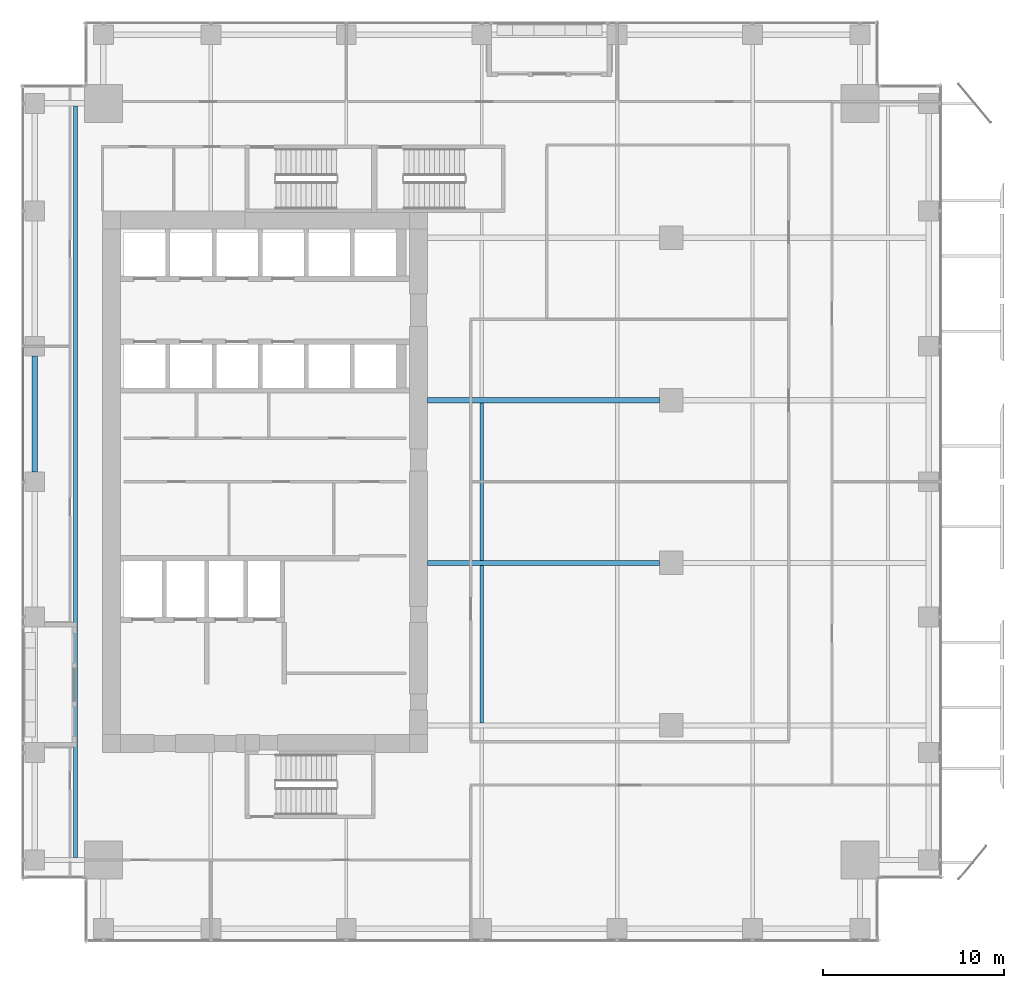
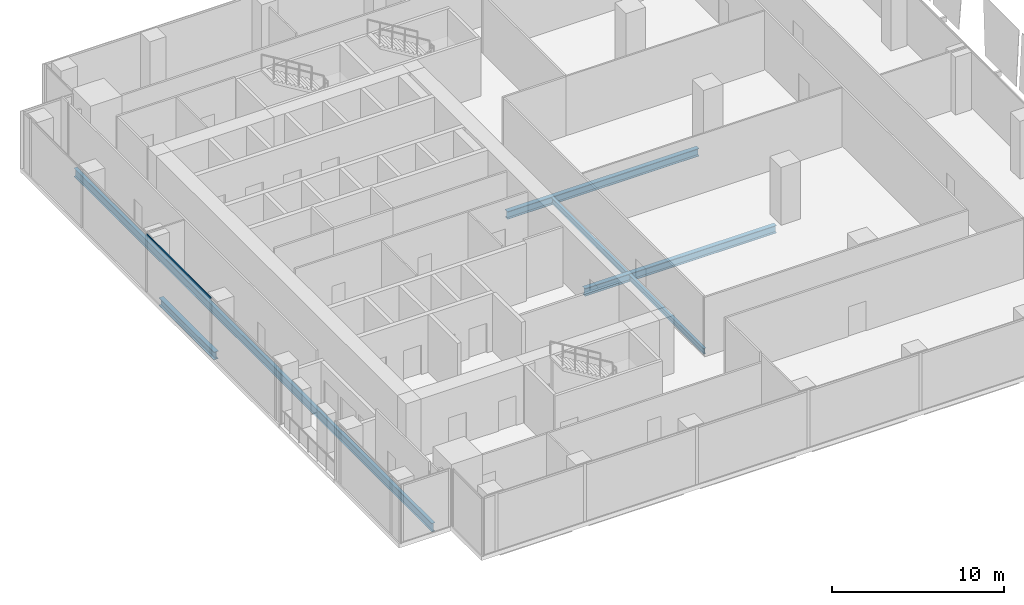
# One storey, part 8 of 33: 6 beams, 1 member, 1 element without a shape of its own.
"""IFC4 building model written with IfcOpenShell, lengths in metres."""

from ifc_helpers import new_model, si_unit, direction, frame, origin, origin_2d, place, context, subcontext, project, spatial, hollow_rectangle, i_section, extrude, source, transform, mapped, material, material_profile, profile_set, type_object, element, aggregate, save


model = new_model("IFC4")

# Units and contexts
model_context = context("Model", 3, precision=1e-05, world=origin(), true_north=direction((0.0, 1.0)))
body_context = subcontext(model_context, "Body", "Model", "MODEL_VIEW")
ifc_project = project(units=[si_unit("LENGTHUNIT", "METRE"), si_unit("AREAUNIT", "SQUARE_METRE"), si_unit("VOLUMEUNIT", "CUBIC_METRE"), si_unit("PLANEANGLEUNIT", "RADIAN"), si_unit("MASSUNIT", "GRAM", prefix="KILO")], contexts=[model_context])

# Site, building, storey
site_placement = place(None, origin())
site = spatial("IfcSite", under=ifc_project, at=site_placement, CompositionType="ELEMENT")
building_placement = place(site_placement, origin())
building = spatial("IfcBuilding", under=site, at=building_placement, Name="Khomas Fold Tower", CompositionType="ELEMENT")
storey_placement = place(building_placement, frame((0.0, 0.0, 149.89990234375)))
storey = spatial("IfcBuildingStorey", under=building, at=storey_placement, Name="L32", CompositionType="ELEMENT", Elevation=149.89990234375)

# Beams
ifc_material_1 = material(Name="Steel S355", Category="steel")
ifc_material_profile_1 = material_profile(ifc_material_1, i_section(OverallWidth=0.179931640625, OverallDepth=0.39990234375, WebThickness=0.008544921875, FlangeThickness=0.013427734375, at=origin_2d()), Name="IPE 400")
ifc_profile_set_1 = profile_set([ifc_material_profile_1], Name="Steel S355")
beam_type_1 = type_object("IfcBeamType", Name="IPE 400 beam JB3", PredefinedType="BEAM", material=ifc_profile_set_1)
shared_shape_1 = source(origin(), body_context, "Body", "SweptSolid", [
    extrude(i_section(OverallWidth=0.179931640625, OverallDepth=0.39990234375, WebThickness=0.008544921875, FlangeThickness=0.013427734375, at=origin_2d()), origin(), (0.0, 0.0, 1.0), 8.7001953125),
])
for number, where, z_axis, x_axis, name in (
    (1, (27.0, 13.64990234375, -0.5), (0.0, 1.0, 0.0), (-1.0, 0.0, 0.0), "JB3"),
    (2, (27.0, 22.64990234375, -0.5), (0.0, 1.0, 0.0), (-1.0, 0.0, 0.0), "JB3"),
):
    element("IfcBeam", number, at=place(storey_placement, frame(where, z_axis=z_axis, x_axis=x_axis)), inside=storey, type_object=beam_type_1, Name=name, PredefinedType="BEAM", context=body_context, shape_type="MappedRepresentation", body=[
        mapped(shared_shape_1, transform((0.0, 0.0, 0.0))),
    ])
ifc_material_2 = material(Name="Steel S355", Category="steel")
ifc_material_profile_2 = material_profile(ifc_material_2, i_section(OverallWidth=0.300048828125, OverallDepth=0.550048828125, WebThickness=0.014892578125, FlangeThickness=0.029052734375, at=origin_2d()), Name="HE 550 B")
ifc_profile_set_2 = profile_set([ifc_material_profile_2], Name="Steel S355")
beam_type_2 = type_object("IfcBeamType", Name="HE 550 B spandrel SB2", PredefinedType="SPANDREL", material=ifc_profile_set_2)
shared_shape_2 = source(origin(), body_context, "Body", "SweptSolid", [
    extrude(i_section(OverallWidth=0.300048828125, OverallDepth=0.550048828125, WebThickness=0.014892578125, FlangeThickness=0.029052734375, at=origin_2d()), origin(), (0.0, 0.0, 1.0), 6.39990234375),
])
beam_1_placement = place(storey_placement, frame((2.25, 27.550048828125, -0.574951171875), z_axis=(0.0, 1.0, 0.0), x_axis=(-1.0, 0.0, 0.0)))
element("IfcBeam", 3, at=beam_1_placement, inside=storey, type_object=beam_type_2, Name="SB2", PredefinedType="SPANDREL", context=body_context, shape_type="MappedRepresentation", body=[
    mapped(shared_shape_2, transform((0.0, 0.0, 0.0))),
])
ifc_material_3 = material(Name="Steel S355", Category="steel")
ifc_material_profile_3 = material_profile(ifc_material_3, i_section(OverallWidth=0.300048828125, OverallDepth=0.550048828125, WebThickness=0.014892578125, FlangeThickness=0.029052734375, at=origin_2d()), Name="HE 550 B")
ifc_profile_set_3 = profile_set([ifc_material_profile_3], Name="Steel S355")
beam_type_3 = type_object("IfcBeamType", Name="HE 550 B beam GB4", PredefinedType="BEAM", material=ifc_profile_set_3)
shared_shape_3 = source(origin(), body_context, "Body", "SweptSolid", [
    extrude(i_section(OverallWidth=0.300048828125, OverallDepth=0.550048828125, WebThickness=0.014892578125, FlangeThickness=0.029052734375, at=origin_2d()), origin(), (0.0, 0.0, 1.0), 12.85009765625),
])
for number, where, z_axis, x_axis, name in (
    (4, (24.0, 22.5, -0.574951171875), (1.0, 0.0, 0.0), (0.0, 1.0, 0.0), "GB4"),
    (5, (24.0, 31.5, -0.574951171875), (1.0, 0.0, 0.0), (0.0, 1.0, 0.0), "GB4"),
):
    element("IfcBeam", number, at=place(storey_placement, frame(where, z_axis=z_axis, x_axis=x_axis)), inside=storey, type_object=beam_type_3, Name=name, PredefinedType="BEAM", context=body_context, shape_type="MappedRepresentation", body=[
        mapped(shared_shape_3, transform((0.0, 0.0, 0.0))),
    ])
ifc_material_4 = material(Name="Steel S355", Category="steel")
ifc_material_profile_4 = material_profile(ifc_material_4, i_section(OverallWidth=0.219970703125, OverallDepth=0.60009765625, WebThickness=0.011962890625, FlangeThickness=0.01904296875, at=origin_2d()), Name="IPE 600")
ifc_profile_set_4 = profile_set([ifc_material_profile_4], Name="Steel S355")
beam_type_4 = type_object("IfcBeamType", Name="IPE 600 beam JB7", PredefinedType="BEAM", material=ifc_profile_set_4)
shared_shape_4 = source(origin(), body_context, "Body", "SweptSolid", [
    extrude(i_section(OverallWidth=0.219970703125, OverallDepth=0.60009765625, WebThickness=0.011962890625, FlangeThickness=0.01904296875, at=origin_2d()), origin(), (0.0, 0.0, 1.0), 41.60009765625),
])
beam_2_placement = place(storey_placement, frame((4.5, 6.199951171875, -0.599853515625), z_axis=(0.0, 1.0, 0.0), x_axis=(-1.0, 0.0, 0.0)))
element("IfcBeam", 6, at=beam_2_placement, inside=storey, type_object=beam_type_4, Name="JB7", PredefinedType="BEAM", context=body_context, shape_type="MappedRepresentation", body=[
    mapped(shared_shape_4, transform((0.0, 0.0, 0.0))),
])

# Curtain wall, member
ifc_material_5 = material(Name="Aluminium framed double glazing", Category="aluminium")
curtain_wall_type = type_object("IfcCurtainWallType", Name="SK-Unitised clear-glass wall, growing floors CW1", PredefinedType="NOTDEFINED", material=ifc_material_5)
curtain_wall_placement = place(storey_placement, origin())
curtain_wall = element("IfcCurtainWall", 7, at=curtain_wall_placement, inside=storey, type_object=curtain_wall_type, Name="CW1 run L32 09-0", PredefinedType="NOTDEFINED")
ifc_material_6 = material(Name="Aluminium", Category="aluminium")
ifc_material_profile_5 = material_profile(ifc_material_6, hollow_rectangle(XDim=0.06005859375, YDim=0.1201171875, WallThickness=0.00390625, at=origin_2d()), Name="SK-Unitised clear-glass wall, growing floors transom CW1-T")
ifc_profile_set_5 = profile_set([ifc_material_profile_5], Name="Aluminium")
member_type = type_object("IfcMemberType", Name="SK-Unitised clear-glass wall, growing floors transom CW1-T", PredefinedType="USERDEFINED", material=ifc_profile_set_5)
shared_shape_5 = source(origin(), body_context, "Body", "SweptSolid", [
    extrude(hollow_rectangle(XDim=0.06005859375, YDim=0.1201171875, WallThickness=0.00390625, at=origin_2d()), origin(), (0.0, 0.0, 1.0), 7.43994140625),
])
member_placement = place(storey_placement, frame((1.60009765625, 34.469970703125, 4.0400390625), z_axis=(0.0, -1.0, 0.0), x_axis=(1.0, 0.0, 0.0)))
member = element("IfcMember", 8, at=member_placement, type_object=member_type, Name="CW1 transom 4", ObjectType="TRANSOM", PredefinedType="USERDEFINED", context=body_context, shape_type="MappedRepresentation", body=[
    mapped(shared_shape_5, transform((0.0, 0.0, 0.0))),
])
aggregate(curtain_wall, [member])

save(model, "model.ifc")
